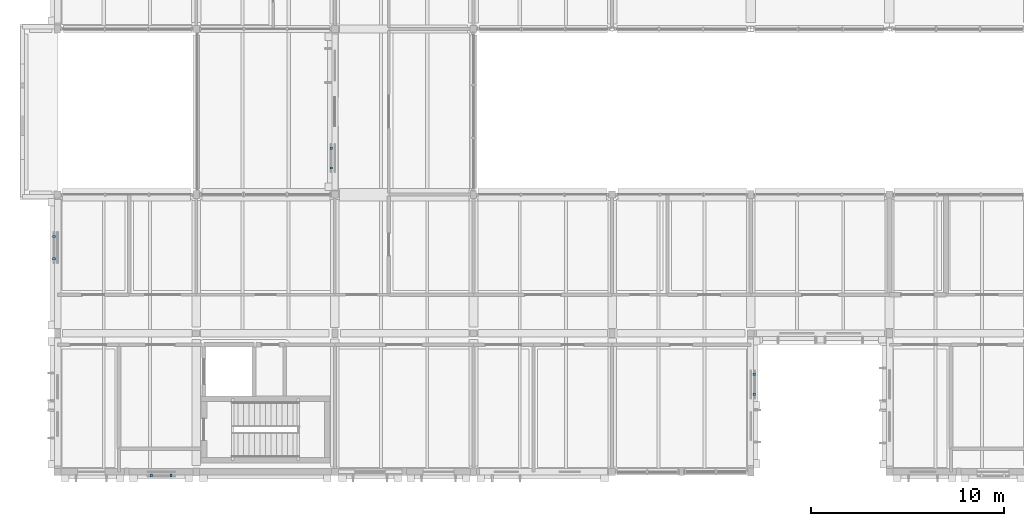
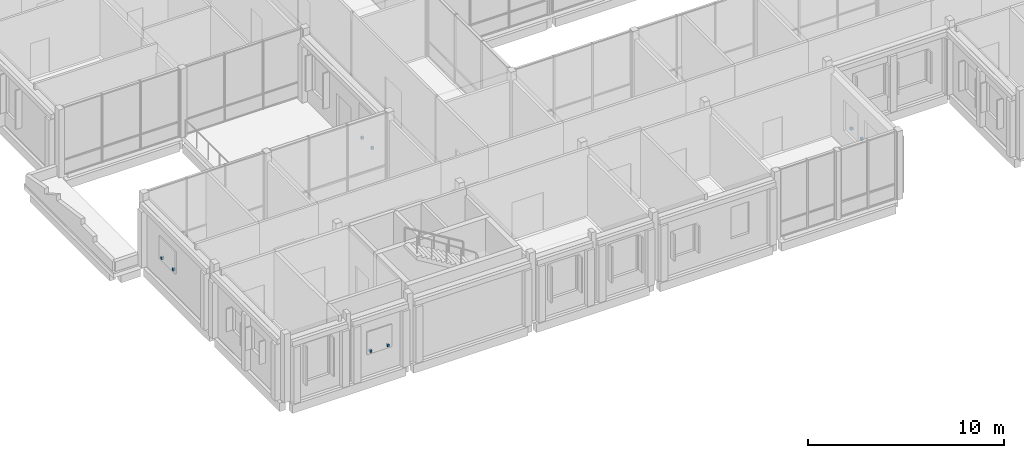
# One storey, part 125 of 146: 8 discrete accessories.
"""IFC4 building model written with IfcOpenShell, lengths in metres."""

from ifc_helpers import new_model, si_unit, direction, frame, origin, origin_2d, place, context, subcontext, project, spatial, rectangle, extrude, material, type_object, element, save


model = new_model("IFC4")

# Units and contexts
model_context = context("Model", 3, precision=1e-05, world=origin(), true_north=direction((0.0, 1.0)))
body_context = subcontext(model_context, "Body", "Model", "MODEL_VIEW")
ifc_project = project(units=[si_unit("LENGTHUNIT", "METRE"), si_unit("AREAUNIT", "SQUARE_METRE"), si_unit("VOLUMEUNIT", "CUBIC_METRE"), si_unit("PLANEANGLEUNIT", "RADIAN"), si_unit("MASSUNIT", "GRAM", prefix="KILO")], contexts=[model_context])

# Site, building, storey
site_placement = place(None, origin())
site = spatial("IfcSite", under=ifc_project, at=site_placement, CompositionType="ELEMENT")
building_placement = place(site_placement, origin())
building = spatial("IfcBuilding", under=site, at=building_placement, Name="Hawrajan Terrace Health Centre", CompositionType="ELEMENT")
storey_placement = place(building_placement, frame((0.0, 0.0, 4.5)))
storey = spatial("IfcBuildingStorey", under=building, at=storey_placement, Name="L01", CompositionType="ELEMENT", Elevation=4.5)

# Discrete accessories
ifc_material = material(Name="Steel S355", Category="steel")
discrete_accessory_type = type_object("IfcDiscreteAccessoryType", Name="FacadeBracket_S355", PredefinedType="BRACKET", material=ifc_material)
for number, where, z_axis, x_axis, name in (
    (1, (9.472412109375, 4.010009765625, 1.419921875), (0.0, 0.0, 1.0), (1.0, 0.0, 0.0), "Roshan support bracket BRK-L01-048-1"),
    (2, (10.487548828125, 4.010009765625, 1.419921875), (0.0, 0.0, 1.0), (1.0, 0.0, 0.0), "Roshan support bracket BRK-L01-048-2"),
    (3, (4.419921875, 15.2724609375, 1.419921875), (0.0, 0.0, 1.0), (0.0, 1.0, 0.0), "Roshan support bracket BRK-L01-053-1"),
    (4, (4.419921875, 16.427490234375, 1.419921875), (0.0, 0.0, 1.0), (0.0, 1.0, 0.0), "Roshan support bracket BRK-L01-053-2"),
    (5, (18.81005859375, 19.97705078125, 1.06982421875), (0.0, 0.0, 1.0), (0.0, 1.0, 0.0), "Roshan support bracket BRK-L01-070-1"),
    (6, (18.81005859375, 21.012939453125, 1.06982421875), (0.0, 0.0, 1.0), (0.0, 1.0, 0.0), "Roshan support bracket BRK-L01-070-2"),
    (7, (40.780029296875, 8.22705078125, 1.06982421875), (0.0, 0.0, 1.0), (0.0, 1.0, 0.0), "Roshan support bracket BRK-L01-077-1"),
    (8, (40.780029296875, 9.262939453125, 1.06982421875), (0.0, 0.0, 1.0), (0.0, 1.0, 0.0), "Roshan support bracket BRK-L01-077-2"),
):
    element("IfcDiscreteAccessory", number, at=place(storey_placement, frame(where, z_axis=z_axis, x_axis=x_axis)), inside=storey, type_object=discrete_accessory_type, Name=name, PredefinedType="BRACKET", context=body_context, shape_type="SweptSolid", body=[
        extrude(rectangle(XDim=0.1201171875, YDim=0.139892578125, at=origin_2d()), origin(), (0.0, 0.0, 1.0), 0.159912109375),
    ])

save(model, "model.ifc")
